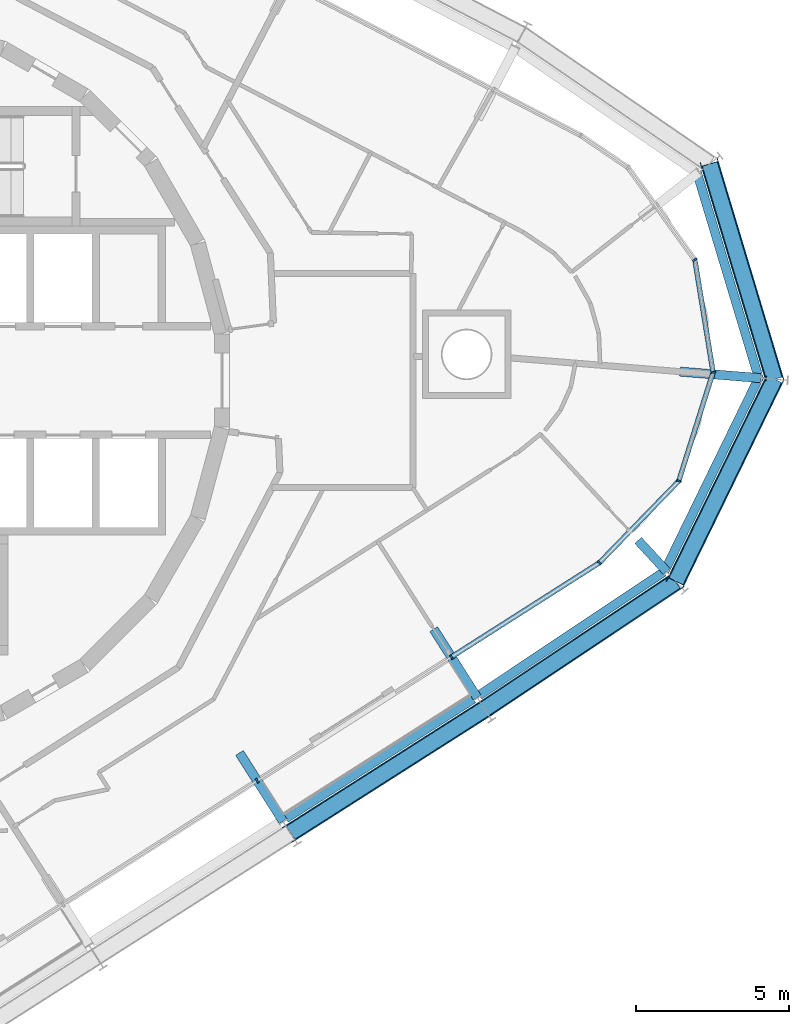
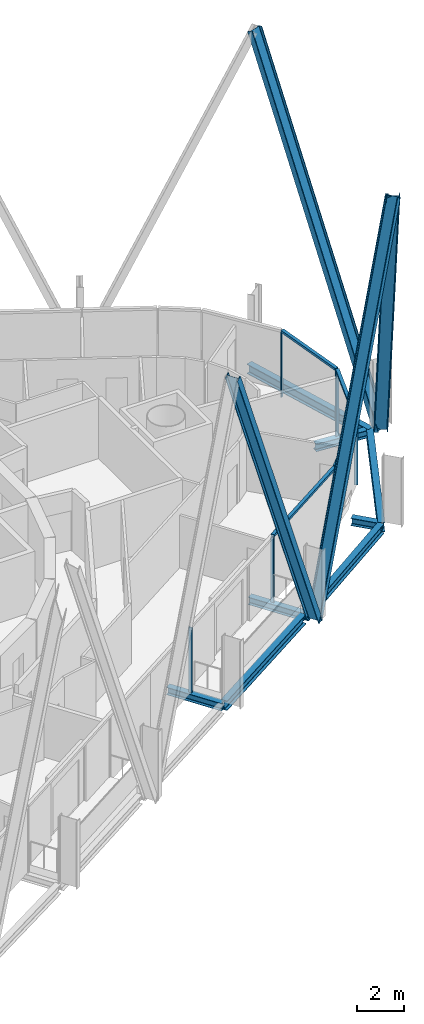
# One storey, part 5 of 18: 14 members, 8 beams, 2 elements without a shape of their own.
"""IFC4 building model written with IfcOpenShell, lengths in metres."""

from ifc_helpers import new_model, si_unit, direction, frame, origin, origin_2d, place, context, subcontext, project, spatial, rectangle, i_section, extrude, material, layer, layer_set, material_profile, profile_set, type_object, element, aggregate, save


model = new_model("IFC4")

# Units and contexts
model_context = context("Model", 3, precision=1e-05, world=origin(), true_north=direction((0.0, 1.0)))
body_context = subcontext(model_context, "Body", "Model", "MODEL_VIEW")
ifc_project = project(units=[si_unit("LENGTHUNIT", "METRE"), si_unit("AREAUNIT", "SQUARE_METRE"), si_unit("VOLUMEUNIT", "CUBIC_METRE"), si_unit("PLANEANGLEUNIT", "RADIAN"), si_unit("MASSUNIT", "GRAM", prefix="KILO")], contexts=[model_context])

# Site, building, storey
site_placement = place(None, origin())
site = spatial("IfcSite", under=ifc_project, at=site_placement, CompositionType="ELEMENT")
building_placement = place(site_placement, origin())
building = spatial("IfcBuilding", under=site, at=building_placement, Name="Spindle Arch Residences", CompositionType="ELEMENT")
storey_placement = place(building_placement, frame((0.0, 0.0, 240.699951171875)))
storey = spatial("IfcBuildingStorey", under=building, at=storey_placement, Name="L61", CompositionType="ELEMENT", Elevation=240.699951171875)

# Curtain wall, members
ifc_material_1 = material(Name="Aluminium bronze unitised frame with tinted glass", Category="aluminium")
ifc_layer_1 = layer(ifc_material_1, 0.159912109375)
ifc_layer_set_1 = layer_set([ifc_layer_1], Name="CW-D corner wall on the fillet arcs")
curtain_wall_type_1 = type_object("IfcCurtainWallType", Name="CW-D corner wall on the fillet arcs", PredefinedType="NOTDEFINED", material=ifc_layer_set_1)
curtain_wall_1_placement = place(storey_placement, origin())
curtain_wall_1 = element("IfcCurtainWall", 1, at=curtain_wall_1_placement, inside=storey, type_object=curtain_wall_type_1, Name="CW-D L61 run 1", PredefinedType="NOTDEFINED")
ifc_material_2 = material(Name="Aluminium bronze anodised mullion", Category="aluminium")
ifc_material_profile_1 = material_profile(ifc_material_2, rectangle(XDim=0.159912109375, YDim=0.06005859375, at=origin_2d()), Name="MU 60x160")
ifc_profile_set_1 = profile_set([ifc_material_profile_1], Name="Aluminium bronze anodised mullion")
member_type_1 = type_object("IfcMemberType", Name="Bronze mullion 60x160", PredefinedType="MULLION", material=ifc_profile_set_1)
member_1_placement = place(storey_placement, frame((19.151611328125, -9.0400390625, -0.3798828125), z_axis=(0.0, 0.0, 1.0), x_axis=(-0.537299608347, 0.843391445813, 0.0)))
member_1 = element("IfcMember", 2, at=member_1_placement, type_object=member_type_1, Name="CW-D mullion 00", PredefinedType="MULLION", context=body_context, shape_type="SweptSolid", body=[
    extrude(rectangle(XDim=0.159912109375, YDim=0.06005859375, at=origin_2d()), origin(), (0.0, 0.0, 1.0), 3.3798828125),
])
member_2_placement = place(storey_placement, frame((23.991455078125, -5.956787109375, -0.3798828125), z_axis=(0.0, 0.0, 1.0), x_axis=(-0.71731607908, 0.696747904692, 0.0)))
member_2 = element("IfcMember", 3, at=member_2_placement, type_object=member_type_1, Name="CW-D mullion 01", PredefinedType="MULLION", context=body_context, shape_type="SweptSolid", body=[
    extrude(rectangle(XDim=0.159912109375, YDim=0.06005859375, at=origin_2d()), origin(), (0.0, 0.0, 1.0), 3.3798828125),
])
member_3_placement = place(storey_placement, frame((26.587890625, -3.283447265625, -0.3798828125), z_axis=(0.0, 0.0, 1.0), x_axis=(-0.953716949352, 0.300705803932, 0.0)))
member_3 = element("IfcMember", 4, at=member_3_placement, type_object=member_type_1, Name="CW-D mullion 02", PredefinedType="MULLION", context=body_context, shape_type="SweptSolid", body=[
    extrude(rectangle(XDim=0.159912109375, YDim=0.06005859375, at=origin_2d()), origin(), (0.0, 0.0, 1.0), 3.3798828125),
])
member_4_placement = place(storey_placement, frame((27.708740234375, 0.270751953125, -0.3798828125), z_axis=(0.0, 0.0, 1.0), x_axis=(-0.987229114298, -0.15930686075, 0.0)))
member_4 = element("IfcMember", 5, at=member_4_placement, type_object=member_type_1, Name="CW-D mullion 03", PredefinedType="MULLION", context=body_context, shape_type="SweptSolid", body=[
    extrude(rectangle(XDim=0.159912109375, YDim=0.06005859375, at=origin_2d()), origin(), (0.0, 0.0, 1.0), 3.3798828125),
])
member_5_placement = place(storey_placement, frame((27.114990234375, 3.949951171875, -0.3798828125), z_axis=(0.0, 0.0, 1.0), x_axis=(-0.810723368962, -0.585429431289, 0.0)))
member_5 = element("IfcMember", 6, at=member_5_placement, type_object=member_type_1, Name="CW-D mullion 04", PredefinedType="MULLION", context=body_context, shape_type="SweptSolid", body=[
    extrude(rectangle(XDim=0.159912109375, YDim=0.06005859375, at=origin_2d()), origin(), (0.0, 0.0, 1.0), 3.3798828125),
])

# Curtain wall, member
ifc_material_3 = material(Name="Aluminium bronze unitised frame with tinted glass", Category="aluminium")
ifc_layer_2 = layer(ifc_material_3, 0.159912109375)
ifc_layer_set_2 = layer_set([ifc_layer_2], Name="CW-C typical residential unitised wall")
curtain_wall_type_2 = type_object("IfcCurtainWallType", Name="CW-C typical residential unitised wall", PredefinedType="NOTDEFINED", material=ifc_layer_set_2)
curtain_wall_2_placement = place(storey_placement, origin())
curtain_wall_2 = element("IfcCurtainWall", 7, at=curtain_wall_2_placement, inside=storey, type_object=curtain_wall_type_2, Name="CW-C L61 run 6", PredefinedType="NOTDEFINED")
member_6_placement = place(storey_placement, frame((12.80078125, -13.0859375, -0.3798828125), z_axis=(0.0, 0.0, 1.0), x_axis=(-0.537299608347, 0.843391445813, 0.0)))
member_6 = element("IfcMember", 8, at=member_6_placement, type_object=member_type_1, Name="CW-C mullion 00", PredefinedType="MULLION", context=body_context, shape_type="SweptSolid", body=[
    extrude(rectangle(XDim=0.159912109375, YDim=0.06005859375, at=origin_2d()), origin(), (0.0, 0.0, 1.0), 3.3798828125),
])
aggregate(curtain_wall_2, [member_6])

# Member
ifc_material_4 = material(Name="Aluminium bronze anodised transom", Category="aluminium")
ifc_material_profile_2 = material_profile(ifc_material_4, rectangle(XDim=0.159912109375, YDim=0.1201171875, at=origin_2d()), Name="TR 120x160")
ifc_profile_set_2 = profile_set([ifc_material_profile_2], Name="Aluminium bronze anodised transom")
member_type_2 = type_object("IfcMemberType", Name="Bronze transom 120x160", PredefinedType="USERDEFINED", material=ifc_profile_set_2)
member_7_placement = place(storey_placement, frame((19.177001953125, -9.02392578125, 3.06005859375), z_axis=(0.843386969226, 0.537306635115, 0.0), x_axis=(-0.537306635115, 0.843386969226, 0.0)))
member_7 = element("IfcMember", 9, at=member_7_placement, type_object=member_type_2, Name="CW-D transom 00", ObjectType="TRANSOM", PredefinedType="USERDEFINED", context=body_context, shape_type="SweptSolid", body=[
    extrude(rectangle(XDim=0.159912109375, YDim=0.1201171875, at=origin_2d()), origin(), (0.0, 0.0, 1.0), 5.678466796875),
])

member_8_placement = place(storey_placement, frame((24.01220703125, -5.93505859375, 3.06005859375), z_axis=(0.696778833098, 0.717286036213, 0.0), x_axis=(-0.717286036213, 0.696778833098, 0.0)))
member_8 = element("IfcMember", 10, at=member_8_placement, type_object=member_type_2, Name="CW-D transom 01", ObjectType="TRANSOM", PredefinedType="USERDEFINED", context=body_context, shape_type="SweptSolid", body=[
    extrude(rectangle(XDim=0.159912109375, YDim=0.1201171875, at=origin_2d()), origin(), (0.0, 0.0, 1.0), 3.666748046875),
])

member_9_placement = place(storey_placement, frame((26.596923828125, -3.2548828125, 3.06005859375), z_axis=(0.300745778047, 0.953704344641, 0.0), x_axis=(-0.953704344641, 0.300745778047, 0.0)))
member_9 = element("IfcMember", 11, at=member_9_placement, type_object=member_type_2, Name="CW-D transom 02", ObjectType="TRANSOM", PredefinedType="USERDEFINED", context=body_context, shape_type="SweptSolid", body=[
    extrude(rectangle(XDim=0.159912109375, YDim=0.1201171875, at=origin_2d()), origin(), (0.0, 0.0, 1.0), 3.666748046875),
])

member_10_placement = place(storey_placement, frame((27.703857421875, 0.300537109375, 3.06005859375), z_axis=(-0.15933292013, 0.987224908804, 0.0), x_axis=(-0.987224908804, -0.15933292013, 0.0)))
member_10 = element("IfcMember", 12, at=member_10_placement, type_object=member_type_2, Name="CW-D transom 03", ObjectType="TRANSOM", PredefinedType="USERDEFINED", context=body_context, shape_type="SweptSolid", body=[
    extrude(rectangle(XDim=0.159912109375, YDim=0.1201171875, at=origin_2d()), origin(), (0.0, 0.0, 1.0), 3.666748046875),
])

aggregate(curtain_wall_1, [member_1, member_7, member_2, member_8, member_3, member_9, member_4, member_10, member_5])

# Members
ifc_material_5 = material(Name="Steel S460ML, intumescent coating R 240", Category="steel")
ifc_material_profile_3 = material_profile(ifc_material_5, i_section(OverallWidth=0.300048828125, OverallDepth=0.60009765625, WebThickness=0.015380859375, FlangeThickness=0.030029296875, FilletRadius=0.027099609375, at=origin_2d()), Name="HEB 600")
ifc_profile_set_3 = profile_set([ifc_material_profile_3], Name="Steel S460ML, intumescent coating R 240")
member_type_3 = type_object("IfcMemberType", Name="Diagrid diagonal HEB 600", PredefinedType="BRACE", material=ifc_profile_set_3)
member_11_placement = place(storey_placement, frame((20.23681640625, -10.74365234375, -0.6298828125), z_axis=(-0.337039952663, -0.214716722236, 0.916679223884), x_axis=(0.77312087987, 0.492529090116, 0.399623823738)))
element("IfcMember", 13, at=member_11_placement, inside=storey, type_object=member_type_3, Name="Diagrid diagonal 6.2.1", PredefinedType="BRACE", context=body_context, shape_type="SweptSolid", body=[
    extrude(i_section(OverallWidth=0.300048828125, OverallDepth=0.60009765625, WebThickness=0.015380859375, FlangeThickness=0.030029296875, FilletRadius=0.027099609375, at=origin_2d()), origin(), (0.0, 0.0, 1.0), 18.843017578125),
])
member_12_placement = place(storey_placement, frame((20.23681640625, -10.74365234375, -0.6298828125), z_axis=(0.332157361751, 0.221580786851, 0.91682792384), x_axis=(-0.76269584328, -0.508791207251, 0.399282554173)))
element("IfcMember", 14, at=member_12_placement, inside=storey, type_object=member_type_3, Name="Diagrid diagonal 6.2.2", PredefinedType="BRACE", context=body_context, shape_type="SweptSolid", body=[
    extrude(i_section(OverallWidth=0.300048828125, OverallDepth=0.60009765625, WebThickness=0.015380859375, FlangeThickness=0.030029296875, FilletRadius=0.027099609375, at=origin_2d()), origin(), (0.0, 0.0, 1.0), 18.83984375),
])
for number, where, z_axis, x_axis, name in (
    (15, (29.71728515625, 0.04443359375, -0.6298828125), (-0.171651402259, -0.35226248756, 0.92002550832), (0.403012002784, 0.827060010865, 0.391858474503), "Diagrid diagonal 6.2.3"),
    (16, (29.71728515625, 0.04443359375, -0.6298828125), (-0.112860820183, 0.375253449478, 0.920025697425), (0.264980800993, -0.881040554701, 0.391858030513), "Diagrid diagonal 6.2.4"),
):
    element("IfcMember", number, at=place(storey_placement, frame(where, z_axis=z_axis, x_axis=x_axis)), inside=storey, type_object=member_type_3, Name=name, PredefinedType="BRACE", context=body_context, shape_type="SweptSolid", body=[
        extrude(i_section(OverallWidth=0.300048828125, OverallDepth=0.60009765625, WebThickness=0.015380859375, FlangeThickness=0.030029296875, FilletRadius=0.027099609375, at=origin_2d()), origin(), (0.0, 0.0, 1.0), 18.7744140625),
    ])

# Beams
ifc_material_6 = material(Name="Steel S460ML, intumescent coating R 120", Category="steel")
ifc_material_profile_4 = material_profile(ifc_material_6, i_section(OverallWidth=0.300048828125, OverallDepth=0.5, WebThickness=0.014404296875, FlangeThickness=0.028076171875, FilletRadius=0.027099609375, at=origin_2d()), Name="HEB 500")
ifc_profile_set_4 = profile_set([ifc_material_profile_4], Name="Steel S460ML, intumescent coating R 120")
beam_type_1 = type_object("IfcBeamType", Name="Exoskeleton edge beam HEB 500", PredefinedType="BEAM", material=ifc_profile_set_4)
beam_1_placement = place(storey_placement, frame((13.73779296875, -14.314697265625, -0.6298828125), z_axis=(0.843406961456, 0.53727525289, 0.0), x_axis=(-0.53727525289, 0.843406961456, 0.0)))
element("IfcBeam", 17, at=beam_1_placement, inside=storey, type_object=beam_type_1, Name="Exoskeleton edge beam 1", PredefinedType="BEAM", context=body_context, shape_type="SweptSolid", body=[
    extrude(i_section(OverallWidth=0.300048828125, OverallDepth=0.5, WebThickness=0.014404296875, FlangeThickness=0.028076171875, FilletRadius=0.027099609375, at=origin_2d()), origin(), (0.0, 0.0, 1.0), 7.27001953125),
])
beam_2_placement = place(storey_placement, frame((20.05224609375, -10.291015625, -0.6298828125), z_axis=(0.83190027786, 0.554925155041, 0.0), x_axis=(-0.554925155041, 0.83190027786, 0.0)))
element("IfcBeam", 18, at=beam_2_placement, inside=storey, type_object=beam_type_1, Name="Exoskeleton edge beam 2", PredefinedType="BEAM", context=body_context, shape_type="SweptSolid", body=[
    extrude(i_section(OverallWidth=0.300048828125, OverallDepth=0.5, WebThickness=0.014404296875, FlangeThickness=0.028076171875, FilletRadius=0.027099609375, at=origin_2d()), origin(), (0.0, 0.0, 1.0), 7.26220703125),
])
for number, where, z_axis, x_axis, name in (
    (19, (26.1201171875, -6.241943359375, -0.6298828125), (0.43802573961, 0.898962430494, 0.0), (-0.898962430494, 0.43802573961, 0.0), "Exoskeleton edge beam 3"),
    (20, (29.22021484375, 0.03076171875, -0.6298828125), (-0.288038985398, 0.957618683449, 0.0), (-0.957618683449, -0.288038985398, 0.0), "Exoskeleton edge beam 4"),
):
    element("IfcBeam", number, at=place(storey_placement, frame(where, z_axis=z_axis, x_axis=x_axis)), inside=storey, type_object=beam_type_1, Name=name, PredefinedType="BEAM", context=body_context, shape_type="SweptSolid", body=[
        extrude(i_section(OverallWidth=0.300048828125, OverallDepth=0.5, WebThickness=0.014404296875, FlangeThickness=0.028076171875, FilletRadius=0.027099609375, at=origin_2d()), origin(), (0.0, 0.0, 1.0), 7.096923828125),
    ])
ifc_material_7 = material(Name="Steel S460ML, intumescent coating R 120", Category="steel")
ifc_material_profile_5 = material_profile(ifc_material_7, i_section(OverallWidth=0.300048828125, OverallDepth=0.389892578125, WebThickness=0.010986328125, FlangeThickness=0.01904296875, FilletRadius=0.027099609375, at=origin_2d()), Name="HEA 400")
ifc_profile_set_5 = profile_set([ifc_material_profile_5], Name="Steel S460ML, intumescent coating R 120")
beam_type_2 = type_object("IfcBeamType", Name="Floor outrigger HEA 400", PredefinedType="BEAM", material=ifc_profile_set_5)
for number, where, z_axis, x_axis, name in (
    (21, (13.644287109375, -14.409912109375, -0.574951171875), (-0.537316570745, 0.843380639334, 0.0), (-0.843380639334, -0.537316570745, 0.0), "Floor outrigger 1"),
    (22, (19.9951171875, -10.364013671875, -0.574951171875), (-0.537316570745, 0.843380639334, 0.0), (-0.843380639334, -0.537316570745, 0.0), "Floor outrigger 2"),
):
    element("IfcBeam", number, at=place(storey_placement, frame(where, z_axis=z_axis, x_axis=x_axis)), inside=storey, type_object=beam_type_2, Name=name, PredefinedType="BEAM", context=body_context, shape_type="SweptSolid", body=[
        extrude(i_section(OverallWidth=0.300048828125, OverallDepth=0.389892578125, WebThickness=0.010986328125, FlangeThickness=0.01904296875, FilletRadius=0.027099609375, at=origin_2d()), origin(), (0.0, 0.0, 1.0), 2.64990234375),
    ])
beam_3_placement = place(storey_placement, frame((26.189697265625, -6.23828125, -0.574951171875), z_axis=(-0.677647212058, 0.735387147011, 0.0), x_axis=(-0.735387147011, -0.677647212058, 0.0)))
element("IfcBeam", 23, at=beam_3_placement, inside=storey, type_object=beam_type_2, Name="Floor outrigger 3", PredefinedType="BEAM", context=body_context, shape_type="SweptSolid", body=[
    extrude(i_section(OverallWidth=0.300048828125, OverallDepth=0.389892578125, WebThickness=0.010986328125, FlangeThickness=0.01904296875, FilletRadius=0.027099609375, at=origin_2d()), origin(), (0.0, 0.0, 1.0), 1.37841796875),
])
beam_4_placement = place(storey_placement, frame((29.268798828125, 0.080810546875, -0.574951171875), z_axis=(-0.996753470089, 0.080514097307, 0.0), x_axis=(-0.080514097307, -0.996753470089, 0.0)))
element("IfcBeam", 24, at=beam_4_placement, inside=storey, type_object=beam_type_2, Name="Floor outrigger 4", PredefinedType="BEAM", context=body_context, shape_type="SweptSolid", body=[
    extrude(i_section(OverallWidth=0.300048828125, OverallDepth=0.389892578125, WebThickness=0.010986328125, FlangeThickness=0.01904296875, FilletRadius=0.027099609375, at=origin_2d()), origin(), (0.0, 0.0, 1.0), 2.650146484375),
])

save(model, "model.ifc")
